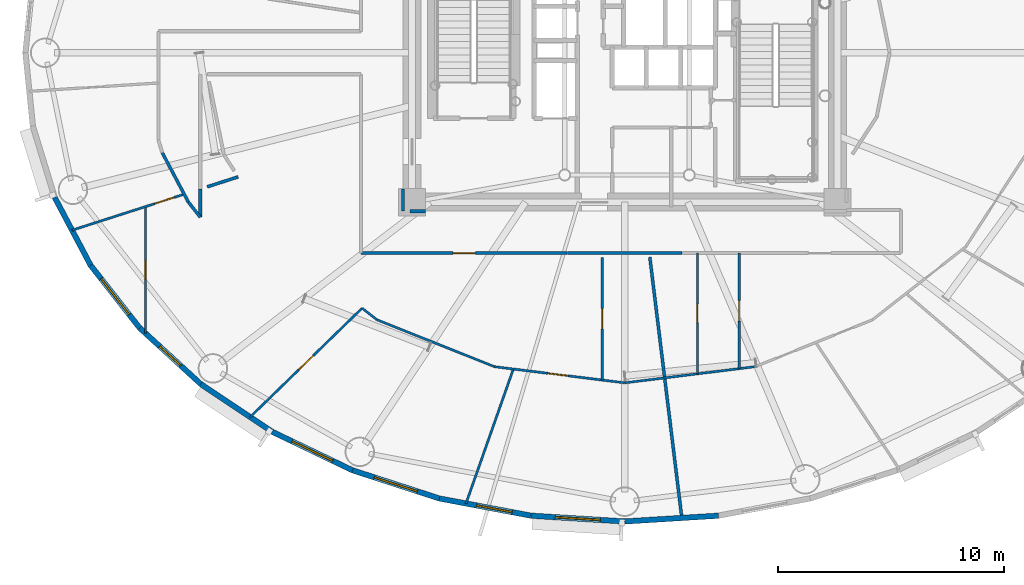
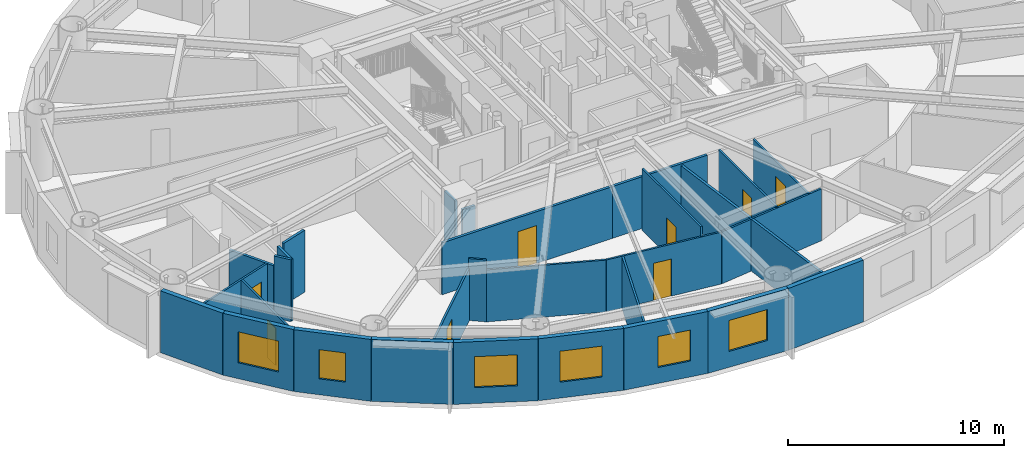
# One storey, part 10 of 21: 29 walls, 8 doors, 6 windows, 14 openings.
"""IFC4 building model written with IfcOpenShell, lengths in metres."""

from ifc_helpers import new_model, si_unit, direction, frame, frame_2d, origin, origin_2d, place, context, subcontext, project, spatial, rectangle, extrude, source, transform, mapped, material, layer, layer_set, type_object, element, fill, save


model = new_model("IFC4")

# Units and contexts
model_context = context("Model", 3, precision=1e-05, world=origin(), true_north=direction((0.0, 1.0)))
body_context = subcontext(model_context, "Body", "Model", "MODEL_VIEW")
ifc_project = project(units=[si_unit("LENGTHUNIT", "METRE"), si_unit("AREAUNIT", "SQUARE_METRE"), si_unit("VOLUMEUNIT", "CUBIC_METRE"), si_unit("PLANEANGLEUNIT", "RADIAN"), si_unit("MASSUNIT", "GRAM", prefix="KILO")], contexts=[model_context])

# Site, building, storey
site_placement = place(None, origin())
site = spatial("IfcSite", under=ifc_project, at=site_placement, CompositionType="ELEMENT")
building_placement = place(site_placement, origin())
building = spatial("IfcBuilding", under=site, at=building_placement, Name="Linh Dai School and Residence Tower", CompositionType="ELEMENT")
storey_placement = place(building_placement, frame((0.0, 0.0, 171.14990234375)))
storey = spatial("IfcBuildingStorey", under=building, at=storey_placement, Name="L41", CompositionType="ELEMENT", Elevation=171.14990234375)

# Wall
ifc_material_1 = material(Name="Precast Concrete B45 (C35/45)", Category="concrete")
ifc_layer_1 = layer(ifc_material_1, 0.239990234375)
ifc_layer_set_1 = layer_set([ifc_layer_1], Name="Precast Concrete B45 (C35/45)")
wall_type_1 = type_object("IfcWallType", Name="EW-TC-240", PredefinedType="SOLIDWALL", material=ifc_layer_set_1)
wall_1_placement = place(storey_placement, frame((12.404052734375, 17.611572265625, 0.0), z_axis=(0.0, 0.0, 1.0), x_axis=(-0.467586874938, 0.88394712194, 0.0)))
element("IfcWall", 1, at=wall_1_placement, inside=storey, type_object=wall_type_1, Name="L41 Terracotta Exterior Wall 23", PredefinedType="SOLIDWALL", context=body_context, shape_type="SweptSolid", body=[
    extrude(rectangle(XDim=3.393310546875, YDim=0.239990234375, at=frame_2d((1.69677734375, 0.0))), origin(), (0.0, 0.0, 1.0), 3.5),
])

# Wall, opening, window
wall_2_placement = place(storey_placement, frame((14.57177734375, 14.841552734375, 0.0), z_axis=(0.0, 0.0, 1.0), x_axis=(-0.616287674549, 0.787521112224, 0.0)))
wall_2 = element("IfcWall", 2, at=wall_2_placement, inside=storey, type_object=wall_type_1, Name="L41 Terracotta Exterior Wall 24", PredefinedType="SOLIDWALL", context=body_context, shape_type="SweptSolid", body=[
    extrude(rectangle(XDim=3.517333984375, YDim=0.239990234375, at=frame_2d((1.7587890625, 0.0))), origin(), (0.0, 0.0, 1.0), 3.5),
])
opening_1_placement = place(wall_2_placement, frame((0.758544921875, 0.0, 0.89990234375)))
opening_1 = element("IfcOpeningElement", 3, at=opening_1_placement, cuts=wall_2, Name="Opening W1", PredefinedType="OPENING", context=body_context, shape_type="SweptSolid", body=[
    extrude(rectangle(XDim=2.0, YDim=1.75, at=origin_2d()), frame((1.0, 0.1298828125, 0.875), z_axis=(0.0, -1.0, 0.0), x_axis=(1.0, 0.0, 0.0)), (0.0, 0.0, 1.0), 0.260009765625),
])
ifc_material_2 = material(Name="Double Low-E Insulated Glazing", Category="glass")
window_type_1 = type_object("IfcWindowType", Name="WN-RES-2000x1750", PartitioningType="DOUBLE_PANEL_VERTICAL", PredefinedType="WINDOW", material=ifc_material_2)
shared_shape_1 = source(origin(), body_context, "Body", "SweptSolid", [
    extrude(rectangle(XDim=2.0, YDim=1.75, at=origin_2d()), frame((1.0, 0.030029296875, 0.875), z_axis=(0.0, -1.0, 0.0), x_axis=(1.0, 0.0, 0.0)), (0.0, 0.0, 1.0), 0.06005859375),
])
window_1_placement = place(opening_1_placement, origin())
window_1 = element("IfcWindow", 4, at=window_1_placement, inside=storey, type_object=window_type_1, Name="L41 Exterior Window 24.1", OverallHeight=1.75, OverallWidth=2.0, PartitioningType="DOUBLE_PANEL_VERTICAL", PredefinedType="WINDOW", context=body_context, shape_type="MappedRepresentation", body=[
    mapped(shared_shape_1, transform((0.0, 0.0, 0.0), x_axis=(1.0, 0.0, 0.0), y_axis=(0.0, 1.0, 0.0), z_axis=(0.0, 0.0, 1.0), scale=1.0)),
])
fill(opening_1, window_1)

wall_3_placement = place(storey_placement, frame((17.26806640625, 12.369384765625, 0.0), z_axis=(0.0, 0.0, 1.0), x_axis=(-0.737076565834, 0.675809245349, 0.0)))
wall_3 = element("IfcWall", 5, at=wall_3_placement, inside=storey, type_object=wall_type_1, Name="L41 Terracotta Exterior Wall 25", PredefinedType="SOLIDWALL", context=body_context, shape_type="SweptSolid", body=[
    extrude(rectangle(XDim=3.658203125, YDim=0.239990234375, at=frame_2d((1.8291015625, 0.0))), origin(), (0.0, 0.0, 1.0), 3.5),
])
opening_2_placement = place(wall_3_placement, frame((1.2041015625, 0.0, 0.89990234375)))
opening_2 = element("IfcOpeningElement", 6, at=opening_2_placement, cuts=wall_3, Name="Opening W3", PredefinedType="OPENING", context=body_context, shape_type="SweptSolid", body=[
    extrude(rectangle(XDim=1.25, YDim=1.64990234375, at=origin_2d()), frame((0.625, 0.1298828125, 0.824951171875), z_axis=(0.0, -1.0, 0.0), x_axis=(1.0, 0.0, 0.0)), (0.0, 0.0, 1.0), 0.260009765625),
])
window_type_2 = type_object("IfcWindowType", Name="WN-RES-1250x1650", PartitioningType="SINGLE_PANEL", PredefinedType="WINDOW", material=ifc_material_2)
shared_shape_2 = source(origin(), body_context, "Body", "SweptSolid", [
    extrude(rectangle(XDim=1.25, YDim=1.64990234375, at=origin_2d()), frame((0.625, 0.030029296875, 0.824951171875), z_axis=(0.0, -1.0, 0.0), x_axis=(1.0, 0.0, 0.0)), (0.0, 0.0, 1.0), 0.06005859375),
])
window_2_placement = place(opening_2_placement, origin())
window_2 = element("IfcWindow", 7, at=window_2_placement, inside=storey, type_object=window_type_2, Name="L41 Dwelling Window U4101-LIV", OverallHeight=1.64990234375, OverallWidth=1.25, PartitioningType="SINGLE_PANEL", PredefinedType="WINDOW", context=body_context, shape_type="MappedRepresentation", body=[
    mapped(shared_shape_2, transform((0.0, 0.0, 0.0), x_axis=(1.0, 0.0, 0.0), y_axis=(0.0, 1.0, 0.0), z_axis=(0.0, 0.0, 1.0), scale=1.0)),
])
fill(opening_2, window_2)

# Wall
wall_4_placement = place(storey_placement, frame((20.4267578125, 10.2568359375, 0.0), z_axis=(0.0, 0.0, 1.0), x_axis=(-0.831228998277, 0.555930168657, 0.0)))
element("IfcWall", 8, at=wall_4_placement, inside=storey, type_object=wall_type_1, Name="L41 Terracotta Exterior Wall 26", PredefinedType="SOLIDWALL", context=body_context, shape_type="SweptSolid", body=[
    extrude(rectangle(XDim=3.800048828125, YDim=0.239990234375, at=frame_2d((1.89990234375, 0.0))), origin(), (0.0, 0.0, 1.0), 3.5),
])

# Wall, opening, window
wall_5_placement = place(storey_placement, frame((23.97021484375, 8.556396484375, 0.0), z_axis=(0.0, 0.0, 1.0), x_axis=(-0.901564733809, 0.432644231155, 0.0)))
wall_5 = element("IfcWall", 9, at=wall_5_placement, inside=storey, type_object=wall_type_1, Name="L41 Terracotta Exterior Wall 27", PredefinedType="SOLIDWALL", context=body_context, shape_type="SweptSolid", body=[
    extrude(rectangle(XDim=3.930419921875, YDim=0.239990234375, at=frame_2d((1.96533203125, 0.0))), origin(), (0.0, 0.0, 1.0), 3.5),
])
opening_3_placement = place(wall_5_placement, frame((0.965087890625, 0.0, 0.89990234375)))
opening_3 = element("IfcOpeningElement", 10, at=opening_3_placement, cuts=wall_5, Name="Opening W1", PredefinedType="OPENING", context=body_context, shape_type="SweptSolid", body=[
    extrude(rectangle(XDim=2.0, YDim=1.75, at=origin_2d()), frame((1.0, 0.1298828125, 0.875), z_axis=(0.0, -1.0, 0.0), x_axis=(1.0, 0.0, 0.0)), (0.0, 0.0, 1.0), 0.260009765625),
])
window_3_placement = place(opening_3_placement, origin())
window_3 = element("IfcWindow", 11, at=window_3_placement, inside=storey, type_object=window_type_1, Name="L41 Exterior Window 27.1", OverallHeight=1.75, OverallWidth=2.0, PartitioningType="DOUBLE_PANEL_VERTICAL", PredefinedType="WINDOW", context=body_context, shape_type="MappedRepresentation", body=[
    mapped(shared_shape_1, transform((0.0, 0.0, 0.0), x_axis=(1.0, 0.0, 0.0), y_axis=(0.0, 1.0, 0.0), z_axis=(0.0, 0.0, 1.0), scale=1.0)),
])
fill(opening_3, window_3)

wall_6_placement = place(storey_placement, frame((27.81103515625, 7.310546875, 0.0), z_axis=(0.0, 0.0, 1.0), x_axis=(-0.951209870236, 0.30854462038, 0.0)))
wall_6 = element("IfcWall", 12, at=wall_6_placement, inside=storey, type_object=wall_type_1, Name="L41 Terracotta Exterior Wall 28", PredefinedType="SOLIDWALL", context=body_context, shape_type="SweptSolid", body=[
    extrude(rectangle(XDim=4.037841796875, YDim=0.239990234375, at=frame_2d((2.01904296875, 0.0))), origin(), (0.0, 0.0, 1.0), 3.5),
])
opening_4_placement = place(wall_6_placement, frame((1.018798828125, 0.0, 0.89990234375)))
opening_4 = element("IfcOpeningElement", 13, at=opening_4_placement, cuts=wall_6, Name="Opening W1", PredefinedType="OPENING", context=body_context, shape_type="SweptSolid", body=[
    extrude(rectangle(XDim=2.0, YDim=1.75, at=origin_2d()), frame((1.0, 0.1298828125, 0.875), z_axis=(0.0, -1.0, 0.0), x_axis=(1.0, 0.0, 0.0)), (0.0, 0.0, 1.0), 0.260009765625),
])
window_4_placement = place(opening_4_placement, origin())
window_4 = element("IfcWindow", 14, at=window_4_placement, inside=storey, type_object=window_type_1, Name="L41 Exterior Window 28.1", OverallHeight=1.75, OverallWidth=2.0, PartitioningType="DOUBLE_PANEL_VERTICAL", PredefinedType="WINDOW", context=body_context, shape_type="MappedRepresentation", body=[
    mapped(shared_shape_1, transform((0.0, 0.0, 0.0), x_axis=(1.0, 0.0, 0.0), y_axis=(0.0, 1.0, 0.0), z_axis=(0.0, 0.0, 1.0), scale=1.0)),
])
fill(opening_4, window_4)

wall_7_placement = place(storey_placement, frame((31.854248046875, 6.550537109375, 0.0), z_axis=(0.0, 0.0, 1.0), x_axis=(-0.982788108205, 0.184736391573, 0.0)))
wall_7 = element("IfcWall", 15, at=wall_7_placement, inside=storey, type_object=wall_type_1, Name="L41 Terracotta Exterior Wall 29", PredefinedType="SOLIDWALL", context=body_context, shape_type="SweptSolid", body=[
    extrude(rectangle(XDim=4.114013671875, YDim=0.239990234375, at=frame_2d((2.05712890625, 0.0))), origin(), (0.0, 0.0, 1.0), 3.5),
])
opening_5_placement = place(wall_7_placement, frame((0.84228515625, 0.0, 0.89990234375)))
opening_5 = element("IfcOpeningElement", 16, at=opening_5_placement, cuts=wall_7, Name="Opening W2", PredefinedType="OPENING", context=body_context, shape_type="SweptSolid", body=[
    extrude(rectangle(XDim=1.60009765625, YDim=1.75, at=origin_2d()), frame((0.800048828125, 0.1298828125, 0.875), z_axis=(0.0, -1.0, 0.0), x_axis=(1.0, 0.0, 0.0)), (0.0, 0.0, 1.0), 0.260009765625),
])
window_type_3 = type_object("IfcWindowType", Name="WN-RES-1600x1750", PartitioningType="DOUBLE_PANEL_VERTICAL", PredefinedType="WINDOW", material=ifc_material_2)
shared_shape_3 = source(origin(), body_context, "Body", "SweptSolid", [
    extrude(rectangle(XDim=1.60009765625, YDim=1.75, at=origin_2d()), frame((0.800048828125, 0.030029296875, 0.875), z_axis=(0.0, -1.0, 0.0), x_axis=(1.0, 0.0, 0.0)), (0.0, 0.0, 1.0), 0.06005859375),
])
window_5_placement = place(opening_5_placement, origin())
window_5 = element("IfcWindow", 17, at=window_5_placement, inside=storey, type_object=window_type_3, Name="L41 Exterior Window 29.1", OverallHeight=1.75, OverallWidth=1.60009765625, PartitioningType="DOUBLE_PANEL_VERTICAL", PredefinedType="WINDOW", context=body_context, shape_type="MappedRepresentation", body=[
    mapped(shared_shape_3, transform((0.0, 0.0, 0.0), x_axis=(1.0, 0.0, 0.0), y_axis=(0.0, 1.0, 0.0), z_axis=(0.0, 0.0, 1.0), scale=1.0)),
])
fill(opening_5, window_5)

wall_8_placement = place(storey_placement, frame((36.0, 6.294921875, 0.0), z_axis=(0.0, 0.0, 1.0), x_axis=(-0.998104600619, 0.061540281305, 0.0)))
wall_8 = element("IfcWall", 18, at=wall_8_placement, inside=storey, type_object=wall_type_1, Name="L41 Terracotta Exterior Wall 30", PredefinedType="SOLIDWALL", context=body_context, shape_type="SweptSolid", body=[
    extrude(rectangle(XDim=4.153564453125, YDim=0.239990234375, at=frame_2d((2.07666015625, 0.0))), origin(), (0.0, 0.0, 1.0), 3.5),
])
opening_6_placement = place(wall_8_placement, frame((1.076904296875, 0.0, 0.89990234375)))
opening_6 = element("IfcOpeningElement", 19, at=opening_6_placement, cuts=wall_8, Name="Opening W1", PredefinedType="OPENING", context=body_context, shape_type="SweptSolid", body=[
    extrude(rectangle(XDim=2.0, YDim=1.75, at=origin_2d()), frame((1.0, 0.1298828125, 0.875), z_axis=(0.0, -1.0, 0.0), x_axis=(1.0, 0.0, 0.0)), (0.0, 0.0, 1.0), 0.260009765625),
])
window_6_placement = place(opening_6_placement, origin())
window_6 = element("IfcWindow", 20, at=window_6_placement, inside=storey, type_object=window_type_1, Name="L41 Exterior Window 30.1", OverallHeight=1.75, OverallWidth=2.0, PartitioningType="DOUBLE_PANEL_VERTICAL", PredefinedType="WINDOW", context=body_context, shape_type="MappedRepresentation", body=[
    mapped(shared_shape_1, transform((0.0, 0.0, 0.0), x_axis=(1.0, 0.0, 0.0), y_axis=(0.0, 1.0, 0.0), z_axis=(0.0, 0.0, 1.0), scale=1.0)),
])
fill(opening_6, window_6)

# Walls
wall_9_placement = place(storey_placement, frame((40.145751953125, 6.550537109375, 0.0), z_axis=(0.0, 0.0, 1.0), x_axis=(-0.998104600619, -0.061540281305, 0.0)))
element("IfcWall", 21, at=wall_9_placement, inside=storey, type_object=wall_type_1, Name="L41 Terracotta Exterior Wall 31", PredefinedType="SOLIDWALL", context=body_context, shape_type="SweptSolid", body=[
    extrude(rectangle(XDim=4.153564453125, YDim=0.239990234375, at=frame_2d((2.07666015625, 0.0))), origin(), (0.0, 0.0, 1.0), 3.5),
])
ifc_material_3 = material(Name="Autoclaved Aerated Concrete Blockwork", Category="masonry")
ifc_layer_2 = layer(ifc_material_3, 0.135009765625)
ifc_layer_set_2 = layer_set([ifc_layer_2], Name="Autoclaved Aerated Concrete Blockwork")
wall_type_2 = type_object("IfcWallType", Name="IW-CORR-135-EI90", PredefinedType="PARTITIONING", material=ifc_layer_set_2)
wall_10_placement = place(storey_placement, frame((15.57421875, 22.577880859375, 0.0), z_axis=(0.0, 0.0, 1.0), x_axis=(0.467608615334, -0.883935621448, 0.0)))
element("IfcWall", 22, at=wall_10_placement, inside=storey, type_object=wall_type_2, Name="L41 Interior Partition Wall 009", PredefinedType="PARTITIONING", context=body_context, shape_type="SweptSolid", body=[
    extrude(rectangle(XDim=2.451904296875, YDim=0.135009765625, at=frame_2d((1.22607421875, 0.0))), origin(), (0.0, 0.0, 1.0), 2.93505859375),
])
wall_11_placement = place(storey_placement, frame((16.720458984375, 20.410888671875, 0.0), z_axis=(0.0, 0.0, 1.0), x_axis=(0.616377221056, -0.787451027914, 0.0)))
element("IfcWall", 23, at=wall_11_placement, inside=storey, type_object=wall_type_2, Name="L41 Interior Partition Wall 011", PredefinedType="PARTITIONING", context=body_context, shape_type="SweptSolid", body=[
    extrude(rectangle(XDim=0.859130859375, YDim=0.135009765625, at=frame_2d((0.4296875, 0.0))), origin(), (0.0, 0.0, 1.0), 3.5),
])
wall_12_placement = place(storey_placement, frame((17.25, 19.734375, 0.0), z_axis=(0.0, 0.0, 1.0), x_axis=(0.0, 1.0, 0.0)))
element("IfcWall", 24, at=wall_12_placement, inside=storey, type_object=wall_type_2, Name="L41 Interior Partition Wall 012", PredefinedType="PARTITIONING", context=body_context, shape_type="SweptSolid", body=[
    extrude(rectangle(XDim=1.24560546875, YDim=0.135009765625, at=frame_2d((0.622802734375, 0.0))), origin(), (0.0, 0.0, 1.0), 3.5),
])

# Wall, opening, door
wall_13_placement = place(storey_placement, frame((24.35009765625, 18.14990234375, 0.0), z_axis=(0.0, 0.0, 1.0), x_axis=(1.0, 0.0, 0.0)))
wall_13 = element("IfcWall", 25, at=wall_13_placement, inside=storey, type_object=wall_type_2, Name="L41 Interior Partition Wall 018", PredefinedType="PARTITIONING", context=body_context, shape_type="SweptSolid", body=[
    extrude(rectangle(XDim=9.108642578125, YDim=0.135009765625, at=frame_2d((4.55419921875, 0.0))), origin(), (0.0, 0.0, 1.0), 2.93505859375),
])
opening_7_placement = place(wall_13_placement, frame((4.05419921875, 0.0, 0.0)))
opening_7 = element("IfcOpeningElement", 26, at=opening_7_placement, cuts=wall_13, Name="Opening D03", PredefinedType="OPENING", context=body_context, shape_type="SweptSolid", body=[
    extrude(rectangle(XDim=1.0, YDim=2.14990234375, at=origin_2d()), frame((0.5, 0.07763671875, 1.074951171875), z_axis=(0.0, -1.0, 0.0), x_axis=(1.0, 0.0, 0.0)), (0.0, 0.0, 1.0), 0.155029296875),
])
ifc_material_4 = material(Name="Fire-Rated Solid Timber Entrance Door", Category="wood")
door_type_1 = type_object("IfcDoorType", Name="DR-FLAT-1000x2150-FD60S", OperationType="NOTDEFINED", PredefinedType="DOOR", material=ifc_material_4)
shared_shape_4 = source(origin(), body_context, "Body", "SweptSolid", [
    extrude(rectangle(XDim=1.0, YDim=2.14990234375, at=origin_2d()), frame((0.5, 0.02490234375, 1.074951171875), z_axis=(0.0, -1.0, 0.0), x_axis=(1.0, 0.0, 0.0)), (0.0, 0.0, 1.0), 0.050048828125),
])
door_1_placement = place(opening_7_placement, origin())
door_1 = element("IfcDoor", 27, at=door_1_placement, inside=storey, type_object=door_type_1, Name="L41 U4101 Apartment Entrance Door", OperationType="SINGLE_SWING_RIGHT", OverallHeight=2.14990234375, OverallWidth=1.0, PredefinedType="DOOR", context=body_context, shape_type="MappedRepresentation", body=[
    mapped(shared_shape_4, transform((0.0, 0.0, 0.0), x_axis=(1.0, 0.0, 0.0), y_axis=(0.0, 1.0, 0.0), z_axis=(0.0, 0.0, 1.0), scale=1.0)),
])
fill(opening_7, door_1)

# Walls
wall_14_placement = place(storey_placement, frame((37.1083984375, 17.97216796875, 0.0), z_axis=(0.0, 0.0, 1.0), x_axis=(0.121868774407, -0.992546221505, 0.0)))
element("IfcWall", 28, at=wall_14_placement, inside=storey, type_object=wall_type_2, Name="L41 Interior Partition Wall 051", PredefinedType="PARTITIONING", context=body_context, shape_type="SweptSolid", body=[
    extrude(rectangle(XDim=11.61328125, YDim=0.135009765625, at=frame_2d((5.806640625, 0.0))), origin(), (0.0, 0.0, 1.0), 2.93505859375),
])
wall_15_placement = place(storey_placement, frame((26.199951171875, 20.989990234375, 0.0), z_axis=(0.0, 0.0, 1.0), x_axis=(0.0, -1.0, 0.0)))
element("IfcWall", 29, at=wall_15_placement, inside=storey, type_object=wall_type_2, Name="L41 Interior Partition Wall 095", PredefinedType="PARTITIONING", context=body_context, shape_type="SweptSolid", body=[
    extrude(rectangle(XDim=0.989990234375, YDim=0.135009765625, at=frame_2d((0.4951171875, 0.0))), origin(), (0.0, 0.0, 1.0), 3.5),
])
wall_16_placement = place(storey_placement, frame((26.507568359375, 20.0, 0.0), z_axis=(0.0, 0.0, 1.0), x_axis=(1.0, 0.0, 0.0)))
element("IfcWall", 30, at=wall_16_placement, inside=storey, type_object=wall_type_2, Name="L41 Interior Partition Wall 096", PredefinedType="PARTITIONING", context=body_context, shape_type="SweptSolid", body=[
    extrude(rectangle(XDim=0.682373046875, YDim=0.135009765625, at=frame_2d((0.34130859375, 0.0))), origin(), (0.0, 0.0, 1.0), 2.93505859375),
])
wall_17_placement = place(storey_placement, frame((38.53125, 18.14990234375, 0.0), z_axis=(0.0, 0.0, 1.0), x_axis=(-1.0, 0.0, 0.0)))
element("IfcWall", 31, at=wall_17_placement, inside=storey, type_object=wall_type_2, Name="L41 Interior Partition Wall 098", PredefinedType="PARTITIONING", context=body_context, shape_type="SweptSolid", body=[
    extrude(rectangle(XDim=5.0625, YDim=0.135009765625, at=frame_2d((2.53125, 0.0))), origin(), (0.0, 0.0, 1.0), 2.93505859375),
])
wall_18_placement = place(storey_placement, frame((17.5576171875, 21.078857421875, 0.0), z_axis=(0.0, 0.0, 1.0), x_axis=(0.952123939642, 0.305712288861, 0.0)))
element("IfcWall", 32, at=wall_18_placement, inside=storey, type_object=wall_type_2, Name="L41 Interior Partition Wall 100", PredefinedType="PARTITIONING", context=body_context, shape_type="SweptSolid", body=[
    extrude(rectangle(XDim=1.4375, YDim=0.135009765625, at=frame_2d((0.71875, 0.0))), origin(), (0.0, 0.0, 1.0), 3.5),
])

# Wall, opening, door
ifc_material_5 = material(Name="Gypsum Plasterboard Acoustic Stud Partition", Category="masonry")
ifc_layer_3 = layer(ifc_material_5, 0.10009765625)
ifc_layer_set_3 = layer_set([ifc_layer_3], Name="Gypsum Plasterboard Acoustic Stud Partition")
wall_type_3 = type_object("IfcWallType", Name="IW-UNIT-100", PredefinedType="PARTITIONING", material=ifc_layer_set_3)
wall_19_placement = place(storey_placement, frame((11.57958984375, 19.159423828125, 0.0), z_axis=(0.0, 0.0, 1.0), x_axis=(0.952134795804, 0.305678475885, 0.0)))
wall_19 = element("IfcWall", 33, at=wall_19_placement, inside=storey, type_object=wall_type_3, Name="L41 Interior Partition Wall 003", PredefinedType="PARTITIONING", context=body_context, shape_type="SweptSolid", body=[
    extrude(rectangle(XDim=5.209716796875, YDim=0.10009765625, at=frame_2d((2.60498046875, 0.0))), origin(), (0.0, 0.0, 1.0), 2.93505859375),
])
opening_8_placement = place(wall_19_placement, frame((3.8427734375, 0.0, 0.0)))
opening_8 = element("IfcOpeningElement", 34, at=opening_8_placement, cuts=wall_19, Name="Opening D05", PredefinedType="OPENING", context=body_context, shape_type="SweptSolid", body=[
    extrude(rectangle(XDim=0.89990234375, YDim=2.10009765625, at=origin_2d()), frame((0.449951171875, 0.06005859375, 1.050048828125), z_axis=(0.0, -1.0, 0.0), x_axis=(1.0, 0.0, 0.0)), (0.0, 0.0, 1.0), 0.1201171875),
])
ifc_material_6 = material(Name="Engineered Timber Internal Door", Category="wood")
door_type_2 = type_object("IfcDoorType", Name="DR-INT-900x2100", OperationType="NOTDEFINED", PredefinedType="DOOR", material=ifc_material_6)
shared_shape_5 = source(origin(), body_context, "Body", "SweptSolid", [
    extrude(rectangle(XDim=0.89990234375, YDim=2.10009765625, at=origin_2d()), frame((0.449951171875, 0.02490234375, 1.050048828125), z_axis=(0.0, -1.0, 0.0), x_axis=(1.0, 0.0, 0.0)), (0.0, 0.0, 1.0), 0.050048828125),
])
door_2_placement = place(opening_8_placement, origin())
door_2 = element("IfcDoor", 35, at=door_2_placement, inside=storey, type_object=door_type_2, Name="L41 Apartment U4101 Study Door", OperationType="SINGLE_SWING_LEFT", OverallHeight=2.10009765625, OverallWidth=0.89990234375, PredefinedType="DOOR", context=body_context, shape_type="MappedRepresentation", body=[
    mapped(shared_shape_5, transform((0.0, 0.0, 0.0), x_axis=(1.0, 0.0, 0.0), y_axis=(0.0, 1.0, 0.0), z_axis=(0.0, 0.0, 1.0), scale=1.0)),
])
fill(opening_8, door_2)

wall_20_placement = place(storey_placement, frame((14.831787109375, 14.59619140625, 0.0), z_axis=(0.0, 0.0, 1.0), x_axis=(0.0, 1.0, 0.0)))
wall_20 = element("IfcWall", 36, at=wall_20_placement, inside=storey, type_object=wall_type_3, Name="L41 Interior Partition Wall 005", PredefinedType="PARTITIONING", context=body_context, shape_type="SweptSolid", body=[
    extrude(rectangle(XDim=5.607421875, YDim=0.10009765625, at=frame_2d((2.8037109375, 0.0))), origin(), (0.0, 0.0, 1.0), 2.93505859375),
])
opening_9_placement = place(wall_20_placement, frame((2.393798828125, 0.0, 0.0)))
opening_9 = element("IfcOpeningElement", 37, at=opening_9_placement, cuts=wall_20, Name="Opening D06", PredefinedType="OPENING", context=body_context, shape_type="SweptSolid", body=[
    extrude(rectangle(XDim=0.820068359375, YDim=2.10009765625, at=origin_2d()), frame((0.41015625, 0.06005859375, 1.050048828125), z_axis=(0.0, -1.0, 0.0), x_axis=(1.0, 0.0, 0.0)), (0.0, 0.0, 1.0), 0.1201171875),
])
ifc_material_7 = material(Name="Moisture-Resistant Timber Bathroom Door", Category="wood")
door_type_3 = type_object("IfcDoorType", Name="DR-WET-820x2100", OperationType="NOTDEFINED", PredefinedType="DOOR", material=ifc_material_7)
shared_shape_6 = source(origin(), body_context, "Body", "SweptSolid", [
    extrude(rectangle(XDim=0.820068359375, YDim=2.10009765625, at=origin_2d()), frame((0.41015625, 0.02490234375, 1.050048828125), z_axis=(0.0, -1.0, 0.0), x_axis=(1.0, 0.0, 0.0)), (0.0, 0.0, 1.0), 0.050048828125),
])
door_3_placement = place(opening_9_placement, origin())
door_3 = element("IfcDoor", 38, at=door_3_placement, inside=storey, type_object=door_type_3, Name="L41 Apartment U4101 Bathroom 1 Door", OperationType="SINGLE_SWING_RIGHT", OverallHeight=2.10009765625, OverallWidth=0.820068359375, PredefinedType="DOOR", context=body_context, shape_type="MappedRepresentation", body=[
    mapped(shared_shape_6, transform((0.0, 0.0, 0.0), x_axis=(1.0, 0.0, 0.0), y_axis=(0.0, 1.0, 0.0), z_axis=(0.0, 0.0, 1.0), scale=1.0)),
])
fill(opening_9, door_3)

wall_21_placement = place(storey_placement, frame((19.448974609375, 10.90478515625, 0.0), z_axis=(0.0, 0.0, 1.0), x_axis=(0.716921274016, 0.697154134222, 0.0)))
wall_21 = element("IfcWall", 39, at=wall_21_placement, inside=storey, type_object=wall_type_3, Name="L41 Interior Partition Wall 014", PredefinedType="PARTITIONING", context=body_context, shape_type="SweptSolid", body=[
    extrude(rectangle(XDim=6.904052734375, YDim=0.10009765625, at=frame_2d((3.4521484375, 0.0))), origin(), (0.0, 0.0, 1.0), 2.93505859375),
])
opening_10_placement = place(wall_21_placement, frame((3.002197265625, 0.0, 0.0)))
opening_10 = element("IfcOpeningElement", 40, at=opening_10_placement, cuts=wall_21, Name="Opening D05", PredefinedType="OPENING", context=body_context, shape_type="SweptSolid", body=[
    extrude(rectangle(XDim=0.89990234375, YDim=2.10009765625, at=origin_2d()), frame((0.449951171875, 0.06005859375, 1.050048828125), z_axis=(0.0, -1.0, 0.0), x_axis=(1.0, 0.0, 0.0)), (0.0, 0.0, 1.0), 0.1201171875),
])
door_4_placement = place(opening_10_placement, origin())
door_4 = element("IfcDoor", 41, at=door_4_placement, inside=storey, type_object=door_type_2, Name="L41 Apartment U4101 Principal Bedroom 3 Door", OperationType="SINGLE_SWING_RIGHT", OverallHeight=2.10009765625, OverallWidth=0.89990234375, PredefinedType="DOOR", context=body_context, shape_type="MappedRepresentation", body=[
    mapped(shared_shape_5, transform((0.0, 0.0, 0.0), x_axis=(1.0, 0.0, 0.0), y_axis=(0.0, 1.0, 0.0), z_axis=(0.0, 0.0, 1.0), scale=1.0)),
])
fill(opening_10, door_4)

# Walls
wall_22_placement = place(storey_placement, frame((24.398681640625, 15.718017578125, 0.0), z_axis=(0.0, 0.0, 1.0), x_axis=(0.787251731647, -0.616631746684, 0.0)))
element("IfcWall", 42, at=wall_22_placement, inside=storey, type_object=wall_type_3, Name="L41 Interior Partition Wall 021", PredefinedType="PARTITIONING", context=body_context, shape_type="SweptSolid", body=[
    extrude(rectangle(XDim=0.834228515625, YDim=0.10009765625, at=frame_2d((0.4169921875, 0.0))), origin(), (0.0, 0.0, 1.0), 3.5),
])
wall_23_placement = place(storey_placement, frame((25.055419921875, 15.20361328125, 0.0), z_axis=(0.0, 0.0, 1.0), x_axis=(0.928798710424, -0.370584613166, 0.0)))
element("IfcWall", 43, at=wall_23_placement, inside=storey, type_object=wall_type_3, Name="L41 Interior Partition Wall 023", PredefinedType="PARTITIONING", context=body_context, shape_type="SweptSolid", body=[
    extrude(rectangle(XDim=5.588623046875, YDim=0.10009765625, at=frame_2d((2.79443359375, 0.0))), origin(), (0.0, 0.0, 1.0), 2.93505859375),
])
wall_24_placement = place(storey_placement, frame((28.986572265625, 7.08447265625, 0.0), z_axis=(0.0, 0.0, 1.0), x_axis=(0.332161523942, 0.943222519882, 0.0)))
element("IfcWall", 44, at=wall_24_placement, inside=storey, type_object=wall_type_3, Name="L41 Interior Partition Wall 025", PredefinedType="PARTITIONING", context=body_context, shape_type="SweptSolid", body=[
    extrude(rectangle(XDim=6.302734375, YDim=0.10009765625, at=frame_2d((3.1513671875, 0.0))), origin(), (0.0, 0.0, 1.0), 2.93505859375),
])

# Wall, opening, door
wall_25_placement = place(storey_placement, frame((30.24609375, 13.132568359375, 0.0), z_axis=(0.0, 0.0, 1.0), x_axis=(0.992396615981, -0.123081097612, 0.0)))
wall_25 = element("IfcWall", 45, at=wall_25_placement, inside=storey, type_object=wall_type_3, Name="L41 Interior Partition Wall 026", PredefinedType="PARTITIONING", context=body_context, shape_type="SweptSolid", body=[
    extrude(rectangle(XDim=5.798095703125, YDim=0.10009765625, at=frame_2d((2.89892578125, 0.0))), origin(), (0.0, 0.0, 1.0), 2.93505859375),
])
opening_11_placement = place(wall_25_placement, frame((2.37109375, 0.0, 0.0)))
opening_11 = element("IfcOpeningElement", 46, at=opening_11_placement, cuts=wall_25, Name="Opening D05", PredefinedType="OPENING", context=body_context, shape_type="SweptSolid", body=[
    extrude(rectangle(XDim=0.89990234375, YDim=2.10009765625, at=origin_2d()), frame((0.449951171875, 0.06005859375, 1.050048828125), z_axis=(0.0, -1.0, 0.0), x_axis=(1.0, 0.0, 0.0)), (0.0, 0.0, 1.0), 0.1201171875),
])
door_5_placement = place(opening_11_placement, origin())
door_5 = element("IfcDoor", 47, at=door_5_placement, inside=storey, type_object=door_type_2, Name="L41 Apartment U4101 Principal Bedroom 4 Door", OperationType="SINGLE_SWING_LEFT", OverallHeight=2.10009765625, OverallWidth=0.89990234375, PredefinedType="DOOR", context=body_context, shape_type="MappedRepresentation", body=[
    mapped(shared_shape_5, transform((0.0, 0.0, 0.0), x_axis=(1.0, 0.0, 0.0), y_axis=(0.0, 1.0, 0.0), z_axis=(0.0, 0.0, 1.0), scale=1.0)),
])
fill(opening_11, door_5)

wall_26_placement = place(storey_placement, frame((35.01171875, 12.54150390625, 0.0), z_axis=(0.0, 0.0, 1.0), x_axis=(0.0, 1.0, 0.0)))
wall_26 = element("IfcWall", 48, at=wall_26_placement, inside=storey, type_object=wall_type_3, Name="L41 Interior Partition Wall 035", PredefinedType="PARTITIONING", context=body_context, shape_type="SweptSolid", body=[
    extrude(rectangle(XDim=5.415771484375, YDim=0.10009765625, at=frame_2d((2.7080078125, 0.0))), origin(), (0.0, 0.0, 1.0), 3.5),
])
opening_12_placement = place(wall_26_placement, frame((2.2578125, 0.0, 0.0)))
opening_12 = element("IfcOpeningElement", 49, at=opening_12_placement, cuts=wall_26, Name="Opening D05", PredefinedType="OPENING", context=body_context, shape_type="SweptSolid", body=[
    extrude(rectangle(XDim=0.89990234375, YDim=2.10009765625, at=origin_2d()), frame((0.449951171875, 0.06005859375, 1.050048828125), z_axis=(0.0, -1.0, 0.0), x_axis=(1.0, 0.0, 0.0)), (0.0, 0.0, 1.0), 0.1201171875),
])
door_6_placement = place(opening_12_placement, origin())
door_6 = element("IfcDoor", 50, at=door_6_placement, inside=storey, type_object=door_type_2, Name="L41 Apartment U4101 Kitchen Door", OperationType="SINGLE_SWING_LEFT", OverallHeight=2.10009765625, OverallWidth=0.89990234375, PredefinedType="DOOR", context=body_context, shape_type="MappedRepresentation", body=[
    mapped(shared_shape_5, transform((0.0, 0.0, 0.0), x_axis=(1.0, 0.0, 0.0), y_axis=(0.0, 1.0, 0.0), z_axis=(0.0, 0.0, 1.0), scale=1.0)),
])
fill(opening_12, door_6)

# Wall
wall_27_placement = place(storey_placement, frame((36.0, 12.4189453125, 0.0), z_axis=(0.0, 0.0, 1.0), x_axis=(0.992396615981, 0.123081097612, 0.0)))
element("IfcWall", 51, at=wall_27_placement, inside=storey, type_object=wall_type_3, Name="L41 Interior Partition Wall 049", PredefinedType="PARTITIONING", context=body_context, shape_type="SweptSolid", body=[
    extrude(rectangle(XDim=5.798095703125, YDim=0.10009765625, at=frame_2d((2.89892578125, 0.0))), origin(), (0.0, 0.0, 1.0), 2.93505859375),
])

# Wall, opening, door
wall_28_placement = place(storey_placement, frame((39.2099609375, 12.817138671875, 0.0), z_axis=(0.0, 0.0, 1.0), x_axis=(0.0, 1.0, 0.0)))
wall_28 = element("IfcWall", 52, at=wall_28_placement, inside=storey, type_object=wall_type_3, Name="L41 Interior Partition Wall 057", PredefinedType="PARTITIONING", context=body_context, shape_type="SweptSolid", body=[
    extrude(rectangle(XDim=5.332763671875, YDim=0.10009765625, at=frame_2d((2.66650390625, 0.0))), origin(), (0.0, 0.0, 1.0), 2.985107421875),
])
opening_13_placement = place(wall_28_placement, frame((2.25634765625, 0.0, 0.0)))
opening_13 = element("IfcOpeningElement", 53, at=opening_13_placement, cuts=wall_28, Name="Opening D06", PredefinedType="OPENING", context=body_context, shape_type="SweptSolid", body=[
    extrude(rectangle(XDim=0.820068359375, YDim=2.10009765625, at=origin_2d()), frame((0.41015625, 0.06005859375, 1.050048828125), z_axis=(0.0, -1.0, 0.0), x_axis=(1.0, 0.0, 0.0)), (0.0, 0.0, 1.0), 0.1201171875),
])
door_7_placement = place(opening_13_placement, origin())
door_7 = element("IfcDoor", 54, at=door_7_placement, inside=storey, type_object=door_type_3, Name="L41 Apartment U4102 Bathroom 1 Door", OperationType="SINGLE_SWING_RIGHT", OverallHeight=2.10009765625, OverallWidth=0.820068359375, PredefinedType="DOOR", context=body_context, shape_type="MappedRepresentation", body=[
    mapped(shared_shape_6, transform((0.0, 0.0, 0.0), x_axis=(1.0, 0.0, 0.0), y_axis=(0.0, 1.0, 0.0), z_axis=(0.0, 0.0, 1.0), scale=1.0)),
])
fill(opening_13, door_7)

wall_29_placement = place(storey_placement, frame((41.05908203125, 13.04638671875, 0.0), z_axis=(0.0, 0.0, 1.0), x_axis=(0.0, 1.0, 0.0)))
wall_29 = element("IfcWall", 55, at=wall_29_placement, inside=storey, type_object=wall_type_3, Name="L41 Interior Partition Wall 064", PredefinedType="PARTITIONING", context=body_context, shape_type="SweptSolid", body=[
    extrude(rectangle(XDim=5.103515625, YDim=0.10009765625, at=frame_2d((2.5517578125, 0.0))), origin(), (0.0, 0.0, 1.0), 2.93505859375),
])
opening_14_placement = place(wall_29_placement, frame((2.101806640625, 0.0, 0.0)))
opening_14 = element("IfcOpeningElement", 56, at=opening_14_placement, cuts=wall_29, Name="Opening D05", PredefinedType="OPENING", context=body_context, shape_type="SweptSolid", body=[
    extrude(rectangle(XDim=0.89990234375, YDim=2.10009765625, at=origin_2d()), frame((0.449951171875, 0.06005859375, 1.050048828125), z_axis=(0.0, -1.0, 0.0), x_axis=(1.0, 0.0, 0.0)), (0.0, 0.0, 1.0), 0.1201171875),
])
door_8_placement = place(opening_14_placement, origin())
door_8 = element("IfcDoor", 57, at=door_8_placement, inside=storey, type_object=door_type_2, Name="L41 Apartment U4102 Kitchen Door", OperationType="SINGLE_SWING_LEFT", OverallHeight=2.10009765625, OverallWidth=0.89990234375, PredefinedType="DOOR", context=body_context, shape_type="MappedRepresentation", body=[
    mapped(shared_shape_5, transform((0.0, 0.0, 0.0), x_axis=(1.0, 0.0, 0.0), y_axis=(0.0, 1.0, 0.0), z_axis=(0.0, 0.0, 1.0), scale=1.0)),
])
fill(opening_14, door_8)

save(model, "model.ifc")
